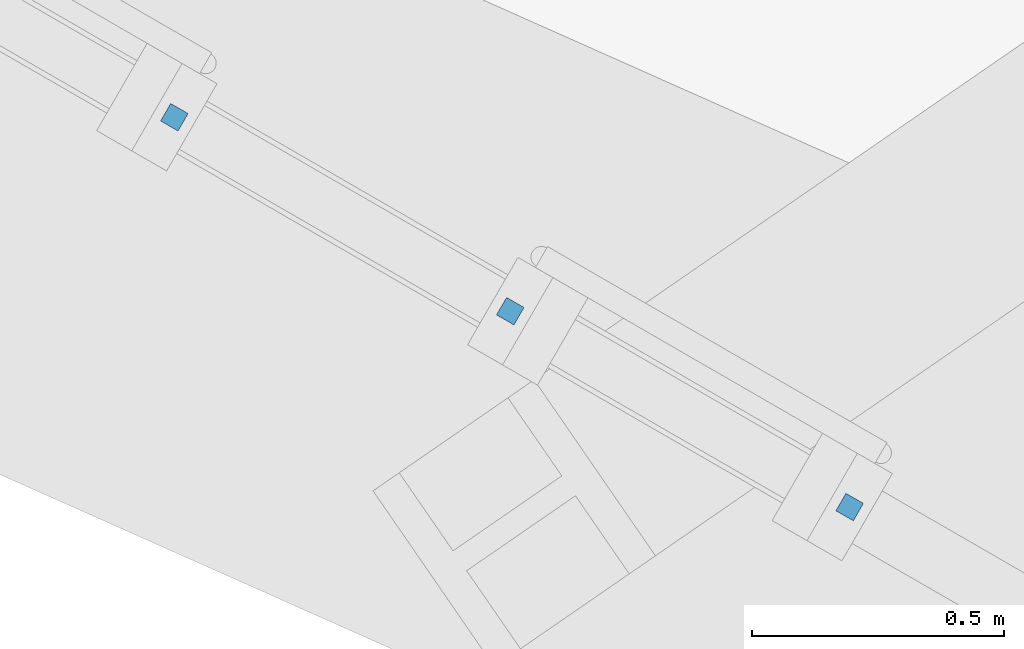
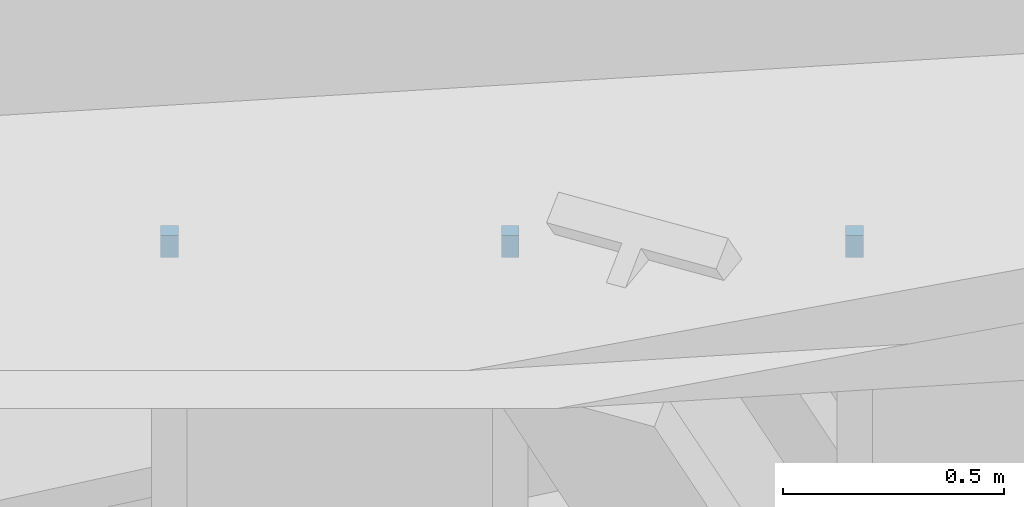
# One storey, part 18 of 23: 3 discrete accessories.
"""IFC4 building model written with IfcOpenShell, lengths in metres."""

from ifc_helpers import new_model, si_unit, direction, frame, origin, origin_2d, place, context, subcontext, project, spatial, rectangle, extrude, source, transform, mapped, material, element, save


model = new_model("IFC4")

# Units and contexts
model_context = context("Model", 3, precision=1e-05, world=origin(), true_north=direction((0.0, 1.0)))
body_context = subcontext(model_context, "Body", "Model", "MODEL_VIEW")
ifc_project = project(units=[si_unit("LENGTHUNIT", "METRE"), si_unit("AREAUNIT", "SQUARE_METRE"), si_unit("VOLUMEUNIT", "CUBIC_METRE"), si_unit("PLANEANGLEUNIT", "RADIAN"), si_unit("MASSUNIT", "GRAM", prefix="KILO")], contexts=[model_context])

# Site, building, storey
site_placement = place(None, origin())
site = spatial("IfcSite", under=ifc_project, at=site_placement, CompositionType="ELEMENT")
building_placement = place(site_placement, origin())
building = spatial("IfcBuilding", under=site, at=building_placement, Name="Triune Harvest Tower", CompositionType="ELEMENT")
storey_placement = place(building_placement, frame((0.0, 0.0, 54.699951171875)))
storey = spatial("IfcBuildingStorey", under=building, at=storey_placement, Name="L12", CompositionType="ELEMENT", Elevation=54.699951171875)

# Discrete accessories
ifc_material = material(Name="Steel ASTM A992 Gr 50", Category="steel")
shared_shape = source(origin(), body_context, "Body", "SweptSolid", [
    extrude(rectangle(XDim=0.0400390625, YDim=0.0400390625, at=origin_2d()), origin(), (0.0, 0.0, 1.0), 0.06005859375),
])
for number, where, z_axis, x_axis, name in (
    (1, (-30.859619140625, -9.170166015625, 2.330078125), (0.0, 0.0, 1.0), (0.866054200281, -0.499950119688, 0.0), "Mullion end bracket B1-F5 L12.301 upper"),
    (2, (-30.193115234375, -9.554931640625, 2.330078125), (0.0, 0.0, 1.0), (0.866054200281, -0.499950119688, 0.0), "Mullion end bracket B1-F5 L12.301 upper"),
    (3, (-29.519775390625, -9.943603515625, 2.330078125), (0.0, 0.0, 1.0), (0.86602365845, -0.500003022996, 0.0), "Mullion end bracket B1-F5 L12.501 upper"),
):
    element("IfcDiscreteAccessory", number, at=place(storey_placement, frame(where, z_axis=z_axis, x_axis=x_axis)), inside=storey, material=ifc_material, Name=name, ObjectType="BRACKET", PredefinedType="USERDEFINED", context=body_context, shape_type="MappedRepresentation", body=[
        mapped(shared_shape, transform((0.0, 0.0, 0.0), scale=1.0)),
    ])

save(model, "model.ifc")
